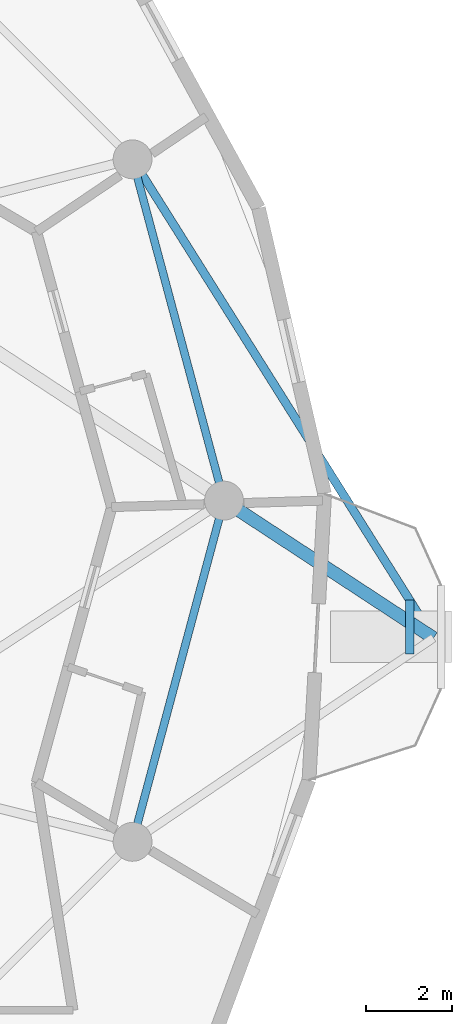
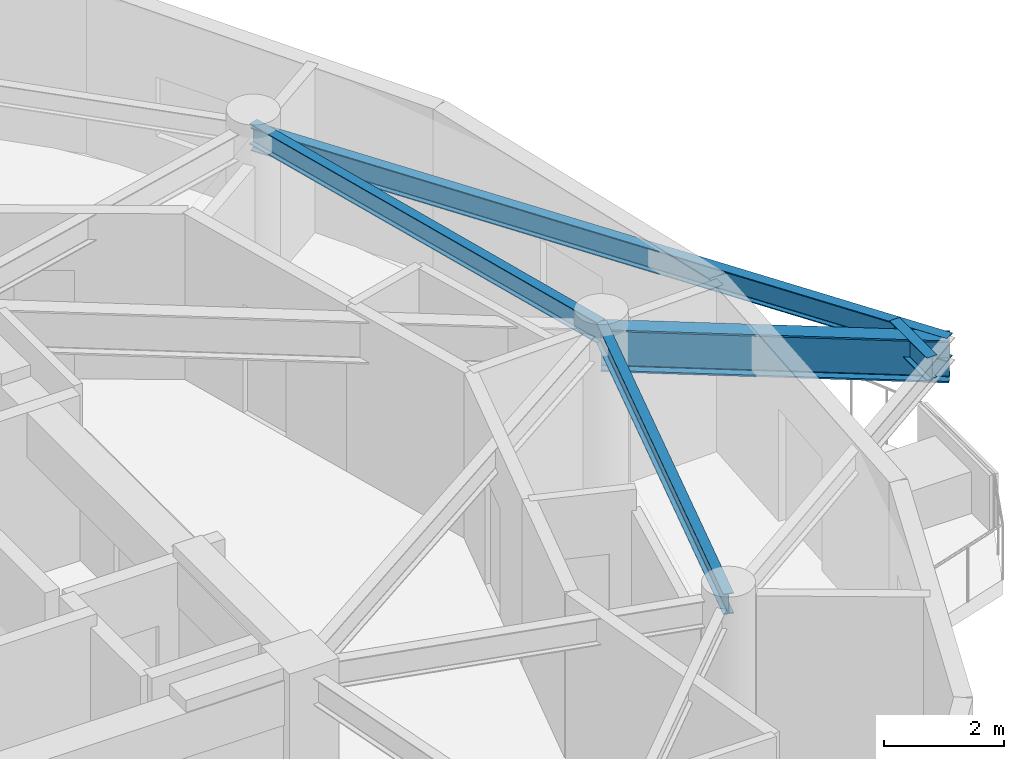
# One storey, part 12 of 21: 5 beams.
"""IFC4 building model written with IfcOpenShell, lengths in metres."""

from ifc_helpers import new_model, si_unit, direction, frame, origin, origin_2d, place, context, subcontext, project, spatial, i_section, extrude, material, material_profile, profile_set, type_object, element, save


model = new_model("IFC4")

# Units and contexts
model_context = context("Model", 3, precision=1e-05, world=origin(), true_north=direction((0.0, 1.0)))
body_context = subcontext(model_context, "Body", "Model", "MODEL_VIEW")
ifc_project = project(units=[si_unit("LENGTHUNIT", "METRE"), si_unit("AREAUNIT", "SQUARE_METRE"), si_unit("VOLUMEUNIT", "CUBIC_METRE"), si_unit("PLANEANGLEUNIT", "RADIAN"), si_unit("MASSUNIT", "GRAM", prefix="KILO")], contexts=[model_context])

# Site, building, storey
site_placement = place(None, origin())
site = spatial("IfcSite", under=ifc_project, at=site_placement, CompositionType="ELEMENT")
building_placement = place(site_placement, origin())
building = spatial("IfcBuilding", under=site, at=building_placement, Name="Solvirekh Grand Hotel", CompositionType="ELEMENT")
storey_placement = place(building_placement, frame((0.0, 0.0, 216.39990234375)))
storey = spatial("IfcBuildingStorey", under=building, at=storey_placement, Name="L56", CompositionType="ELEMENT", Elevation=216.39990234375)

# Beams
ifc_material_1 = material(Name="Steel S460", Category="steel")
ifc_material_profile_1 = material_profile(ifc_material_1, i_section(OverallWidth=0.302001953125, OverallDepth=0.85498046875, WebThickness=0.01904296875, FlangeThickness=0.032958984375, FilletRadius=0.01806640625, at=origin_2d()), Name="W840X299")
ifc_profile_set_1 = profile_set([ifc_material_profile_1], Name="Steel S460")
beam_type_1 = type_object("IfcBeamType", Name="Beam_PoolTie_W840", PredefinedType="BEAM", material=ifc_profile_set_1)
beam_1_placement = place(storey_placement, frame((15.800048828125, 0.0, 2.862060546875), z_axis=(0.836190886008, -0.54843851265, 0.0), x_axis=(0.54843851265, 0.836190886008, 0.0)))
element("IfcBeam", 1, at=beam_1_placement, inside=storey, type_object=beam_type_1, Name="L57 sky-garden primary cantilever bracket", PredefinedType="BEAM", context=body_context, shape_type="SweptSolid", body=[
    extrude(i_section(OverallWidth=0.302001953125, OverallDepth=0.85498046875, WebThickness=0.01904296875, FlangeThickness=0.032958984375, FilletRadius=0.01806640625, at=origin_2d()), origin(), (0.0, 0.0, 1.0), 5.800048828125),
])
ifc_material_2 = material(Name="Steel S355", Category="steel")
ifc_material_profile_2 = material_profile(ifc_material_2, i_section(OverallWidth=0.194091796875, OverallDepth=0.468994140625, WebThickness=0.010986328125, FlangeThickness=0.01904296875, FilletRadius=0.012939453125, at=origin_2d()), Name="W460X106")
ifc_profile_set_2 = profile_set([ifc_material_profile_2], Name="Steel S355")
beam_type_2 = type_object("IfcBeamType", Name="Beam_Radial_W460H", PredefinedType="BEAM", material=ifc_profile_set_2)
beam_2_placement = place(storey_placement, frame((13.68310546875, 7.89990234375, 3.05615234375), z_axis=(0.532265513475, -0.846577476174, 0.0), x_axis=(0.846577476174, 0.532265513475, 0.0)))
element("IfcBeam", 2, at=beam_2_placement, inside=storey, type_object=beam_type_2, Name="L57 sky-garden edge tie beam 2", PredefinedType="BEAM", context=body_context, shape_type="SweptSolid", body=[
    extrude(i_section(OverallWidth=0.194091796875, OverallDepth=0.468994140625, WebThickness=0.010986328125, FlangeThickness=0.01904296875, FilletRadius=0.012939453125, at=origin_2d()), origin(), (0.0, 0.0, 1.0), 13.0888671875),
])
beam_3_placement = place(storey_placement, frame((20.09912109375, -3.553955078125, 3.05615234375), z_axis=(0.0, 1.0, 0.0), x_axis=(-1.0, 0.0, 0.0)))
element("IfcBeam", 3, at=beam_3_placement, inside=storey, type_object=beam_type_2, Name="L57 sky-garden outer cross trimmer", PredefinedType="BEAM", context=body_context, shape_type="SweptSolid", body=[
    extrude(i_section(OverallWidth=0.194091796875, OverallDepth=0.468994140625, WebThickness=0.010986328125, FlangeThickness=0.01904296875, FilletRadius=0.012939453125, at=origin_2d()), origin(), (0.0, 0.0, 1.0), 1.25),
])
ifc_material_profile_3 = material_profile(ifc_material_2, i_section(OverallWidth=0.180908203125, OverallDepth=0.4169921875, WebThickness=0.010009765625, FlangeThickness=0.01611328125, FilletRadius=0.011962890625, at=origin_2d()), Name="W410X85")
ifc_profile_set_3 = profile_set([ifc_material_profile_3], Name="Steel S355")
beam_type_3 = type_object("IfcBeamType", Name="Spandrel_Ring_W410", PredefinedType="SPANDREL", material=ifc_profile_set_3)
for number, where, z_axis, x_axis, name in (
    (4, (15.800048828125, 0.0, 3.152099609375), (-0.258838541915, 0.965920601923, 0.0), (-0.965920601923, -0.258838541915, 0.0), "L56 perimeter spandrel beam 1"),
    (5, (13.68310546875, -7.89990234375, 3.152099609375), (0.258838541915, 0.965920601923, 0.0), (-0.965920601923, 0.258838541915, 0.0), "L56 perimeter spandrel beam 12"),
):
    element("IfcBeam", number, at=place(storey_placement, frame(where, z_axis=z_axis, x_axis=x_axis)), inside=storey, type_object=beam_type_3, Name=name, PredefinedType="SPANDREL", context=body_context, shape_type="SweptSolid", body=[
        extrude(i_section(OverallWidth=0.180908203125, OverallDepth=0.4169921875, WebThickness=0.010009765625, FlangeThickness=0.01611328125, FilletRadius=0.011962890625, at=origin_2d()), origin(), (0.0, 0.0, 1.0), 8.1787109375),
    ])

save(model, "model.ifc")
